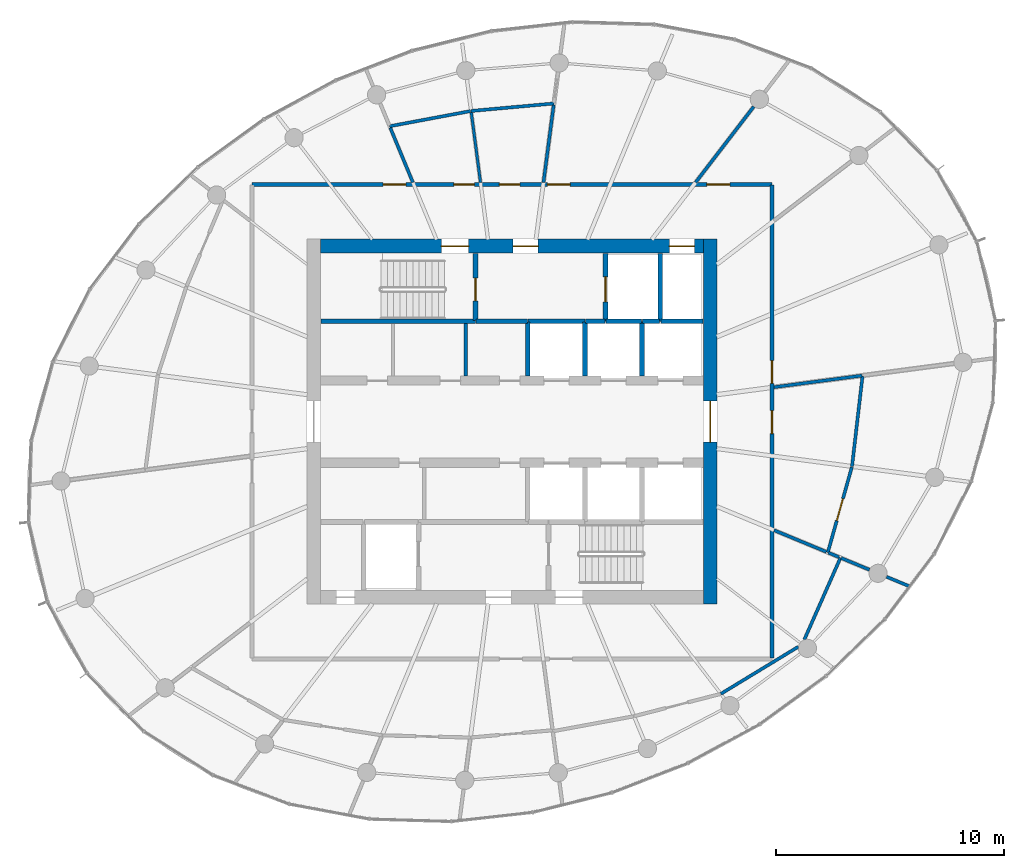
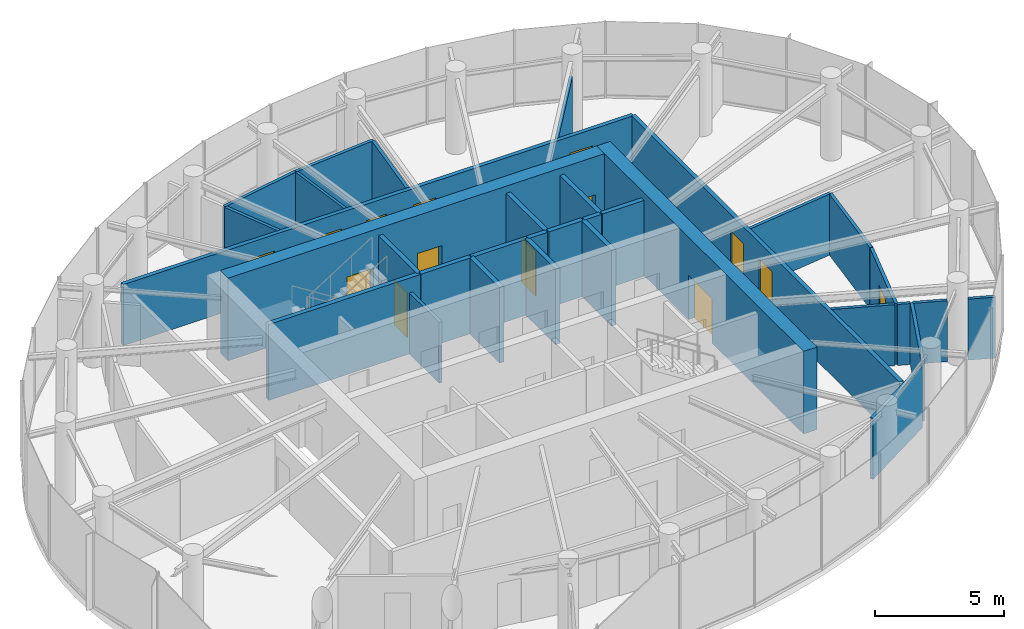
# One storey, part 10 of 13: 33 walls, 14 doors, 14 openings.
"""IFC4 building model written with IfcOpenShell, lengths in metres."""

import ifcopenshell
import ifcopenshell.guid

model = None  # the IFC model being written
_history = None  # IfcOwnerHistory: only IFC2X3 demands one
_inside = {}  # id of a spatial element -> (the spatial element, [elements in it])
_under = {}  # id of a project, library or spatial element -> (it, [spatial elements below it])
_declared = {}  # id of a project -> (the project, [libraries it declares])
_typed = {}  # id of a type object -> (the type object, [elements of that type])
_made_of = {}  # id of a material, layer set ... -> (it, [elements and type objects made of it])


def new_model(schema):
    """Start an empty IFC model of exactly this schema.

    Asked for "IFC4X3", IfcOpenShell would pick the latest addendum, in which some entities
    have other attributes; the version numbers below select the first issue.
    IFC2X3 requires an IfcOwnerHistory on every rooted entity: one is made here for all.
    """
    global model, _history
    if schema == "IFC4X3":
        model = ifcopenshell.file(schema_version=(4, 3, 0, 0))
    else:
        model = ifcopenshell.file(schema=schema)
    _inside.clear()
    _under.clear()
    _declared.clear()
    _typed.clear()
    _made_of.clear()
    _history = None
    if model.schema == "IFC2X3":
        org = make("IfcOrganization", Name="unknown")
        user = make(
            "IfcPersonAndOrganization",
            ThePerson=make("IfcPerson", FamilyName="unknown"),
            TheOrganization=org,
        )
        app = make(
            "IfcApplication",
            ApplicationDeveloper=org,
            Version="unknown",
            ApplicationFullName="unknown",
            ApplicationIdentifier="unknown",
        )
        _history = make(
            "IfcOwnerHistory",
            OwningUser=user,
            OwningApplication=app,
            ChangeAction="ADDED",
            CreationDate=0,
        )
    return model


def make(cls, **values):
    """One entity of the class cls with the attributes given. An attribute that is None is left unset."""
    return model.create_entity(
        cls, **{name: value for name, value in values.items() if value is not None}
    )


def rooted(cls, **values):
    """An entity with a GlobalId (a new one), such as an element, a storey or a relation."""
    return make(cls, GlobalId=ifcopenshell.guid.new(), OwnerHistory=_history, **values)


def si_unit(unit_type, name, prefix=None):
    """IfcSIUnit, for example si_unit("LENGTHUNIT", "METRE", prefix="MILLI")."""
    return make("IfcSIUnit", UnitType=unit_type, Prefix=prefix, Name=name)


def assignment(units):
    """IfcUnitAssignment: the units of a project."""
    return None if units is None else make("IfcUnitAssignment", Units=units)


def point(xyz):
    """IfcCartesianPoint."""
    return None if xyz is None else make("IfcCartesianPoint", Coordinates=xyz)


def direction(xyz):
    """IfcDirection."""
    return None if xyz is None else make("IfcDirection", DirectionRatios=xyz)


def frame(location, z_axis=None, x_axis=None):
    """IfcAxis2Placement3D, a coordinate frame: its origin and axes. An axis left out is left unset."""
    return make(
        "IfcAxis2Placement3D",
        Location=point(location),
        Axis=direction(z_axis),
        RefDirection=direction(x_axis),
    )


def frame_2d(location, x_axis=None):
    """IfcAxis2Placement2D, a coordinate frame in the plane: its origin and x axis."""
    return make(
        "IfcAxis2Placement2D", Location=point(location), RefDirection=direction(x_axis)
    )


def origin():
    """The frame at (0, 0, 0) with its axes left unset."""
    return frame((0.0, 0.0, 0.0))


def place(relative_to, where):
    """IfcLocalPlacement: puts the frame where relative to a parent placement (None: the world)."""
    return make(
        "IfcLocalPlacement", PlacementRelTo=relative_to, RelativePlacement=where
    )


def context(
    kind, dimensions, precision=None, world=None, true_north=None, identifier=None
):
    """IfcGeometricRepresentationContext, for example the 3D "Model" context."""
    return make(
        "IfcGeometricRepresentationContext",
        ContextIdentifier=identifier,
        ContextType=kind,
        CoordinateSpaceDimension=dimensions,
        Precision=precision,
        WorldCoordinateSystem=world,
        TrueNorth=true_north,
    )


def subcontext(parent, identifier, kind, view, scale=None):
    """IfcGeometricRepresentationSubContext, for example "Body" below "Model"."""
    return make(
        "IfcGeometricRepresentationSubContext",
        ContextIdentifier=identifier,
        ContextType=kind,
        ParentContext=parent,
        TargetScale=scale,
        TargetView=view,
    )


def project(units=None, contexts=None):
    """IfcProject with its units and contexts."""
    return rooted(
        "IfcProject",
        Name="project",
        RepresentationContexts=contexts,
        UnitsInContext=assignment(units),
    )


def spatial(cls, under=None, at=None, **own):
    """A site, building, storey or space (cls), placed at a placement, below another one or the project."""
    s = rooted(cls, ObjectPlacement=at, **own)
    if under is not None:
        _under.setdefault(under.id(), (under, []))[1].append(s)
    return s


def profile(cls, at=None, kind="AREA", **sizes):
    """A parametric profile (cls). Its sizes go by their IFC names, for example OverallWidth=200.0."""
    return make(cls, ProfileType=kind, Position=at, **sizes)


def rectangle(**sizes):
    """IfcRectangleProfileDef."""
    return profile("IfcRectangleProfileDef", **sizes)


def extrude(swept, where, along, depth):
    """IfcExtrudedAreaSolid: the profile swept, set in the frame where, extruded along a direction by depth."""
    return make(
        "IfcExtrudedAreaSolid",
        SweptArea=swept,
        Position=where,
        ExtrudedDirection=direction(along),
        Depth=depth,
    )


def shape(context_of_items, identifier, shape_type, items):
    """IfcShapeRepresentation: the items that make up one representation, for example the "Body"."""
    return make(
        "IfcShapeRepresentation",
        ContextOfItems=context_of_items,
        RepresentationIdentifier=identifier,
        RepresentationType=shape_type,
        Items=items,
    )


def source(mapping_origin, context_of_items, identifier, shape_type, items):
    """IfcRepresentationMap: a shape defined once, which mapped items show again and again."""
    return make(
        "IfcRepresentationMap",
        MappingOrigin=mapping_origin,
        MappedRepresentation=shape(context_of_items, identifier, shape_type, items),
    )


def transform(
    local_origin,
    x_axis=None,
    y_axis=None,
    z_axis=None,
    scale=None,
    scale2=None,
    scale3=None,
    uniform=True,
):
    """IfcCartesianTransformationOperator3D, or its non-uniform kind. x_axis, y_axis, z_axis: its Axis1, 2, 3."""
    if uniform:
        return make(
            "IfcCartesianTransformationOperator3D",
            Axis1=direction(x_axis),
            Axis2=direction(y_axis),
            LocalOrigin=point(local_origin),
            Scale=scale,
            Axis3=direction(z_axis),
        )
    return make(
        "IfcCartesianTransformationOperator3DnonUniform",
        Axis1=direction(x_axis),
        Axis2=direction(y_axis),
        LocalOrigin=point(local_origin),
        Scale=scale,
        Axis3=direction(z_axis),
        Scale2=scale2,
        Scale3=scale3,
    )


def mapped(mapping_source, mapping_target):
    """IfcMappedItem: shows the shape of a source again, moved by a transform."""
    return make(
        "IfcMappedItem", MappingSource=mapping_source, MappingTarget=mapping_target
    )


def material(Name=None, Category=None):
    """IfcMaterial."""
    return make("IfcMaterial", Name=Name, Category=Category)


def layer(
    of_material, thickness, ventilated=None, Name=None, Category=None, Priority=None
):
    """IfcMaterialLayer: one layer of a wall or slab, of a material (None: an air gap)."""
    return make(
        "IfcMaterialLayer",
        Material=of_material,
        LayerThickness=thickness,
        IsVentilated=ventilated,
        Name=Name,
        Category=Category,
        Priority=Priority,
    )


def layer_set(layers, Name=None):
    """IfcMaterialLayerSet."""
    return make("IfcMaterialLayerSet", MaterialLayers=layers, LayerSetName=Name)


def made_of(thing, what):
    """Note that an element or type object is made of a material, layer set ...; save() writes the relation."""
    if what is not None:
        _made_of.setdefault(what.id(), (what, []))[1].append(thing)
    return thing


def type_object(cls, material=None, **own):
    """A type object (cls), such as IfcWallType, which elements share."""
    return made_of(rooted(cls, **own), material)


def element(
    cls,
    number,
    at=None,
    inside=None,
    cuts=None,
    type_object=None,
    material=None,
    context=None,
    identifier="Body",
    shape_type=None,
    held_by="IfcProductDefinitionShape",
    body=None,
    shapes=None,
    **own,
):
    """One element of the class cls, such as IfcWall. Its Tag is "e" and its number.

    at: its placement. inside: the storey or other place that contains it. cuts: it is an
    opening in that element (IfcRelVoidsElement). A single representation is given by context,
    identifier, shape_type and body (its items); several are given by shapes. held_by: the class
    of the entity that holds the representations. save() writes the other relations.
    """
    e = rooted(cls, Tag="e%d" % number, ObjectPlacement=at, **own)
    if body is not None:
        shapes = [shape(context, identifier, shape_type, body)]
    if shapes is not None:
        e.Representation = make(held_by, Representations=shapes)
    if inside is not None:
        _inside.setdefault(inside.id(), (inside, []))[1].append(e)
    if cuts is not None:
        rooted(
            "IfcRelVoidsElement", RelatingBuildingElement=cuts, RelatedOpeningElement=e
        )
    if type_object is not None:
        _typed.setdefault(type_object.id(), (type_object, []))[1].append(e)
    return made_of(e, material)


def fill(opening, filler):
    """IfcRelFillsElement: the door or window that sits in an opening."""
    return rooted(
        "IfcRelFillsElement",
        RelatingOpeningElement=opening,
        RelatedBuildingElement=filler,
    )


def aggregate(whole, parts):
    """IfcRelAggregates: a whole, such as a stair, and the parts it consists of."""
    return rooted("IfcRelAggregates", RelatingObject=whole, RelatedObjects=parts)


def save(model, path):
    """Write the relations noted so far, then the file.

    IfcRelAggregates (storeys below a building ...), IfcRelContainedInSpatialStructure (elements
    in a storey), IfcRelDefinesByType, IfcRelAssociatesMaterial and IfcRelDeclares: one each for
    every whole, place, type object, material and project.
    """
    for whole, parts in _under.values():
        aggregate(whole, parts)
    for where, things in _inside.values():
        rooted(
            "IfcRelContainedInSpatialStructure",
            RelatedElements=things,
            RelatingStructure=where,
        )
    for kind, things in _typed.values():
        rooted("IfcRelDefinesByType", RelatedObjects=things, RelatingType=kind)
    for what, things in _made_of.values():
        rooted("IfcRelAssociatesMaterial", RelatedObjects=things, RelatingMaterial=what)
    for by, libraries in _declared.values():
        rooted("IfcRelDeclares", RelatingContext=by, RelatedDefinitions=libraries)
    model.write(path)


model = new_model("IFC4")

# Units and contexts
model_context = context("Model", 3, precision=1e-05, world=origin(), true_north=direction((0.0, 1.0)))
body_context = subcontext(model_context, "Body", "Model", "MODEL_VIEW")
ifc_project = project(units=[si_unit("LENGTHUNIT", "METRE"), si_unit("AREAUNIT", "SQUARE_METRE"), si_unit("VOLUMEUNIT", "CUBIC_METRE"), si_unit("PLANEANGLEUNIT", "RADIAN"), si_unit("MASSUNIT", "GRAM", prefix="KILO")], contexts=[model_context])

# Site, building, storey
site_placement = place(None, origin())
site = spatial("IfcSite", under=ifc_project, at=site_placement, CompositionType="ELEMENT")
building_placement = place(site_placement, origin())
building = spatial("IfcBuilding", under=site, at=building_placement, Name="Spindrift Exchange Tower", CompositionType="ELEMENT")
storey_placement = place(building_placement, frame((0.0, 0.0, 242.300048828125)))
storey = spatial("IfcBuildingStorey", under=building, at=storey_placement, Name="L59", CompositionType="ELEMENT", Elevation=242.300048828125)

# Wall, opening, door
ifc_material_1 = material(Name="Concrete 50 MPa", Category="concrete")
ifc_layer_1 = layer(ifc_material_1, 0.60009765625)
ifc_layer_set_1 = layer_set([ifc_layer_1], Name="RC Core Wall 600 Concrete 50 MPa")
wall_type_1 = type_object("IfcWallType", Name="RC Core Wall 600 Concrete 50 MPa", PredefinedType="SHEAR", material=ifc_layer_set_1)
wall_1_placement = place(storey_placement, frame((60.699951171875, 40.0, 0.0), z_axis=(0.0, 0.0, 1.0), x_axis=(0.0, 1.0, 0.0)))
wall_1 = element("IfcWall", 1, at=wall_1_placement, inside=storey, type_object=wall_type_1, Name="Core wall E L59", PredefinedType="SHEAR", context=body_context, shape_type="SweptSolid", body=[
    extrude(rectangle(XDim=16.0, YDim=0.60009765625, at=frame_2d((8.0, 0.0))), origin(), (0.0, 0.0, 1.0), 3.89990234375),
])
opening_1_placement = place(wall_1_placement, frame((7.10009765625, 0.0, 0.0)))
opening_1 = element("IfcOpeningElement", 2, at=opening_1_placement, cuts=wall_1, Name="Opening L59-D2", PredefinedType="OPENING", context=body_context, shape_type="SweptSolid", body=[
    extrude(rectangle(XDim=1.800048828125, YDim=2.10009765625, at=frame_2d((0.89990234375, 1.050048828125))), frame((0.0, 0.31005859375, 0.0), z_axis=(0.0, -1.0, 0.0), x_axis=(1.0, 0.0, 0.0)), (0.0, 0.0, 1.0), 0.6201171875),
])
ifc_material_2 = material(Name="Timber-core fire door", Category="wood")
door_type_1 = type_object("IfcDoorType", Name="DR-LOBBY-1800", OperationType="NOTDEFINED", PredefinedType="DOOR", material=ifc_material_2)
shared_shape_1 = source(origin(), body_context, "Body", "SweptSolid", [
    extrude(rectangle(XDim=1.800048828125, YDim=2.10009765625, at=frame_2d((0.89990234375, 1.050048828125))), frame((0.0, 0.02490234375, 0.0), z_axis=(0.0, -1.0, 0.0), x_axis=(1.0, 0.0, 0.0)), (0.0, 0.0, 1.0), 0.050048828125),
])
door_1_placement = place(opening_1_placement, origin())
door_1 = element("IfcDoor", 3, at=door_1_placement, inside=storey, type_object=door_type_1, Name="L59 Lobby door 2", OperationType="SINGLE_SWING_LEFT", OverallHeight=2.10009765625, OverallWidth=1.800048828125, PredefinedType="DOOR", context=body_context, shape_type="MappedRepresentation", body=[
    mapped(shared_shape_1, transform((0.0, 0.0, 0.0), scale=1.0)),
])
fill(opening_1, door_1)

# Wall, openings, doors
wall_2_placement = place(storey_placement, frame((60.39990234375, 55.699951171875, 0.0), z_axis=(0.0, 0.0, 1.0), x_axis=(-1.0, 0.0, 0.0)))
wall_2 = element("IfcWall", 4, at=wall_2_placement, inside=storey, type_object=wall_type_1, Name="Core wall N L59", PredefinedType="SHEAR", context=body_context, shape_type="SweptSolid", body=[
    extrude(rectangle(XDim=16.7998046875, YDim=0.60009765625, at=frame_2d((8.39990234375, 0.0))), origin(), (0.0, 0.0, 1.0), 3.89990234375),
])
opening_2_placement = place(wall_2_placement, frame((0.39990234375, 0.0, 0.0)))
opening_2 = element("IfcOpeningElement", 5, at=opening_2_placement, cuts=wall_2, Name="Opening L59-D11", PredefinedType="OPENING", context=body_context, shape_type="SweptSolid", body=[
    extrude(rectangle(XDim=1.10009765625, YDim=2.10009765625, at=frame_2d((0.550048828125, 1.050048828125))), frame((0.0, 0.31005859375, 0.0), z_axis=(0.0, -1.0, 0.0), x_axis=(1.0, 0.0, 0.0)), (0.0, 0.0, 1.0), 0.6201171875),
])
opening_3_placement = place(wall_2_placement, frame((10.300048828125, 0.0, 0.0)))
opening_3 = element("IfcOpeningElement", 6, at=opening_3_placement, cuts=wall_2, Name="Opening L59-D12", PredefinedType="OPENING", context=body_context, shape_type="SweptSolid", body=[
    extrude(rectangle(XDim=1.199951171875, YDim=2.10009765625, at=frame_2d((0.60009765625, 1.050048828125))), frame((0.0, 0.31005859375, 0.0), z_axis=(0.0, -1.0, 0.0), x_axis=(1.0, 0.0, 0.0)), (0.0, 0.0, 1.0), 0.6201171875),
])
opening_4_placement = place(wall_2_placement, frame((7.25, 0.0, 0.0)))
opening_4 = element("IfcOpeningElement", 7, at=opening_4_placement, cuts=wall_2, Name="Opening L59-D14", PredefinedType="OPENING", context=body_context, shape_type="SweptSolid", body=[
    extrude(rectangle(XDim=1.10009765625, YDim=2.10009765625, at=frame_2d((0.550048828125, 1.050048828125))), frame((0.0, 0.31005859375, 0.0), z_axis=(0.0, -1.0, 0.0), x_axis=(1.0, 0.0, 0.0)), (0.0, 0.0, 1.0), 0.6201171875),
])
ifc_material_3 = material(Name="Stainless steel landing door", Category="steel")
door_type_2 = type_object("IfcDoorType", Name="DR-LANDING-1100-SL", OperationType="DOUBLE_DOOR_SLIDING", PredefinedType="USERDEFINED", material=ifc_material_3)
shared_shape_2 = source(origin(), body_context, "Body", "SweptSolid", [
    extrude(rectangle(XDim=1.10009765625, YDim=2.10009765625, at=frame_2d((0.550048828125, 1.050048828125))), frame((0.0, 0.02490234375, 0.0), z_axis=(0.0, -1.0, 0.0), x_axis=(1.0, 0.0, 0.0)), (0.0, 0.0, 1.0), 0.050048828125),
])
door_2_placement = place(opening_2_placement, origin())
door_2 = element("IfcDoor", 8, at=door_2_placement, inside=storey, type_object=door_type_2, Name="L59 Lift landing door 11", ObjectType="LANDING DOOR", OperationType="DOUBLE_DOOR_SLIDING", OverallHeight=2.10009765625, OverallWidth=1.10009765625, PredefinedType="USERDEFINED", context=body_context, shape_type="MappedRepresentation", body=[
    mapped(shared_shape_2, transform((0.0, 0.0, 0.0), scale=1.0)),
])
fill(opening_2, door_2)
ifc_material_4 = material(Name="Steel fire door", Category="steel")
door_type_3 = type_object("IfcDoorType", Name="DR-STAIR-1200", OperationType="NOTDEFINED", PredefinedType="DOOR", material=ifc_material_4)
shared_shape_3 = source(origin(), body_context, "Body", "SweptSolid", [
    extrude(rectangle(XDim=1.199951171875, YDim=2.10009765625, at=frame_2d((0.60009765625, 1.050048828125))), frame((0.0, 0.02490234375, 0.0), z_axis=(0.0, -1.0, 0.0), x_axis=(1.0, 0.0, 0.0)), (0.0, 0.0, 1.0), 0.050048828125),
])
door_3_placement = place(opening_3_placement, origin())
door_3 = element("IfcDoor", 9, at=door_3_placement, inside=storey, type_object=door_type_3, Name="L59 Stair door 12", OperationType="SINGLE_SWING_RIGHT", OverallHeight=2.10009765625, OverallWidth=1.199951171875, PredefinedType="DOOR", context=body_context, shape_type="MappedRepresentation", body=[
    mapped(shared_shape_3, transform((0.0, 0.0, 0.0), scale=1.0)),
])
fill(opening_3, door_3)
door_type_4 = type_object("IfcDoorType", Name="DR-LOBBY-1100", OperationType="NOTDEFINED", PredefinedType="DOOR", material=ifc_material_2)
shared_shape_4 = source(origin(), body_context, "Body", "SweptSolid", [
    extrude(rectangle(XDim=1.10009765625, YDim=2.10009765625, at=frame_2d((0.550048828125, 1.050048828125))), frame((0.0, 0.02490234375, 0.0), z_axis=(0.0, -1.0, 0.0), x_axis=(1.0, 0.0, 0.0)), (0.0, 0.0, 1.0), 0.050048828125),
])
door_4_placement = place(opening_4_placement, origin())
door_4 = element("IfcDoor", 10, at=door_4_placement, inside=storey, type_object=door_type_4, Name="L59 Lobby door 14", OperationType="SINGLE_SWING_RIGHT", OverallHeight=2.10009765625, OverallWidth=1.10009765625, PredefinedType="DOOR", context=body_context, shape_type="MappedRepresentation", body=[
    mapped(shared_shape_4, transform((0.0, 0.0, 0.0), scale=1.0)),
])
fill(opening_4, door_4)

ifc_material_5 = material(Name="Fire-rated plasterboard partition", Category="gypsum")
ifc_layer_2 = layer(ifc_material_5, 0.179931640625)
ifc_layer_set_2 = layer_set([ifc_layer_2], Name="W-CORR-180")
wall_type_2 = type_object("IfcWallType", Name="W-CORR-180", PredefinedType="PARTITIONING", material=ifc_layer_set_2)
wall_3_placement = place(storey_placement, frame((40.60009765625, 58.39990234375, 0.0), z_axis=(0.0, 0.0, 1.0), x_axis=(1.0, 0.0, 0.0)))
wall_3 = element("IfcWall", 11, at=wall_3_placement, inside=storey, type_object=wall_type_2, Name="L59 Partition wall 27", PredefinedType="PARTITIONING", context=body_context, shape_type="SweptSolid", body=[
    extrude(rectangle(XDim=22.7998046875, YDim=0.179931640625, at=frame_2d((11.39990234375, 0.0))), origin(), (0.0, 0.0, 1.0), 2.8798828125),
])
opening_5_placement = place(wall_3_placement, frame((10.85009765625, 0.0, 0.0)))
opening_5 = element("IfcOpeningElement", 12, at=opening_5_placement, cuts=wall_3, Name="Opening L59-D19", PredefinedType="OPENING", context=body_context, shape_type="SweptSolid", body=[
    extrude(rectangle(XDim=0.89990234375, YDim=2.10009765625, at=frame_2d((0.449951171875, 1.050048828125))), frame((0.0, 0.099853515625, 0.0), z_axis=(0.0, -1.0, 0.0), x_axis=(1.0, 0.0, 0.0)), (0.0, 0.0, 1.0), 0.199951171875),
])
opening_6_placement = place(wall_3_placement, frame((8.85009765625, 0.0, 0.0)))
opening_6 = element("IfcOpeningElement", 13, at=opening_6_placement, cuts=wall_3, Name="Opening L59-D20", PredefinedType="OPENING", context=body_context, shape_type="SweptSolid", body=[
    extrude(rectangle(XDim=0.89990234375, YDim=2.10009765625, at=frame_2d((0.449951171875, 1.050048828125))), frame((0.0, 0.099853515625, 0.0), z_axis=(0.0, -1.0, 0.0), x_axis=(1.0, 0.0, 0.0)), (0.0, 0.0, 1.0), 0.199951171875),
])
opening_7_placement = place(wall_3_placement, frame((5.75, 0.0, 0.0)))
opening_7 = element("IfcOpeningElement", 14, at=opening_7_placement, cuts=wall_3, Name="Opening L59-D21", PredefinedType="OPENING", context=body_context, shape_type="SweptSolid", body=[
    extrude(rectangle(XDim=1.0, YDim=2.10009765625, at=frame_2d((0.5, 1.050048828125))), frame((0.0, 0.099853515625, 0.0), z_axis=(0.0, -1.0, 0.0), x_axis=(1.0, 0.0, 0.0)), (0.0, 0.0, 1.0), 0.199951171875),
])
opening_8_placement = place(wall_3_placement, frame((19.949951171875, 0.0, 0.0)))
opening_8 = element("IfcOpeningElement", 15, at=opening_8_placement, cuts=wall_3, Name="Opening L59-D35", PredefinedType="OPENING", context=body_context, shape_type="SweptSolid", body=[
    extrude(rectangle(XDim=1.0, YDim=2.10009765625, at=frame_2d((0.5, 1.050048828125))), frame((0.0, 0.099853515625, 0.0), z_axis=(0.0, -1.0, 0.0), x_axis=(1.0, 0.0, 0.0)), (0.0, 0.0, 1.0), 0.199951171875),
])
opening_9_placement = place(wall_3_placement, frame((12.949951171875, 0.0, 0.0)))
opening_9 = element("IfcOpeningElement", 16, at=opening_9_placement, cuts=wall_3, Name="Opening L59-D36", PredefinedType="OPENING", context=body_context, shape_type="SweptSolid", body=[
    extrude(rectangle(XDim=1.0, YDim=2.10009765625, at=frame_2d((0.5, 1.050048828125))), frame((0.0, 0.099853515625, 0.0), z_axis=(0.0, -1.0, 0.0), x_axis=(1.0, 0.0, 0.0)), (0.0, 0.0, 1.0), 0.199951171875),
])
door_type_5 = type_object("IfcDoorType", Name="DR-ROOM-1000", OperationType="NOTDEFINED", PredefinedType="DOOR", material=ifc_material_2)
shared_shape_5 = source(origin(), body_context, "Body", "SweptSolid", [
    extrude(rectangle(XDim=1.0, YDim=2.10009765625, at=frame_2d((0.5, 1.050048828125))), frame((0.0, 0.02490234375, 0.0), z_axis=(0.0, -1.0, 0.0), x_axis=(1.0, 0.0, 0.0)), (0.0, 0.0, 1.0), 0.050048828125),
])
door_5_placement = place(opening_7_placement, origin())
door_5 = element("IfcDoor", 17, at=door_5_placement, inside=storey, type_object=door_type_5, Name="L59 Door 21", OperationType="SINGLE_SWING_LEFT", OverallHeight=2.10009765625, OverallWidth=1.0, PredefinedType="DOOR", context=body_context, shape_type="MappedRepresentation", body=[
    mapped(shared_shape_5, transform((0.0, 0.0, 0.0), scale=1.0)),
])
fill(opening_7, door_5)
door_6_placement = place(opening_8_placement, origin())
door_6 = element("IfcDoor", 18, at=door_6_placement, inside=storey, type_object=door_type_5, Name="L59 Door 35", OperationType="SINGLE_SWING_LEFT", OverallHeight=2.10009765625, OverallWidth=1.0, PredefinedType="DOOR", context=body_context, shape_type="MappedRepresentation", body=[
    mapped(shared_shape_5, transform((0.0, 0.0, 0.0), scale=1.0)),
])
fill(opening_8, door_6)
door_7_placement = place(opening_9_placement, origin())
door_7 = element("IfcDoor", 19, at=door_7_placement, inside=storey, type_object=door_type_5, Name="L59 Door 36", OperationType="SINGLE_SWING_RIGHT", OverallHeight=2.10009765625, OverallWidth=1.0, PredefinedType="DOOR", context=body_context, shape_type="MappedRepresentation", body=[
    mapped(shared_shape_5, transform((0.0, 0.0, 0.0), scale=1.0)),
])
fill(opening_9, door_7)
ifc_material_6 = material(Name="Laminate washroom door", Category="wood")
door_type_6 = type_object("IfcDoorType", Name="DR-WC-900", OperationType="NOTDEFINED", PredefinedType="DOOR", material=ifc_material_6)
shared_shape_6 = source(origin(), body_context, "Body", "SweptSolid", [
    extrude(rectangle(XDim=0.89990234375, YDim=2.10009765625, at=frame_2d((0.449951171875, 1.050048828125))), frame((0.0, 0.02490234375, 0.0), z_axis=(0.0, -1.0, 0.0), x_axis=(1.0, 0.0, 0.0)), (0.0, 0.0, 1.0), 0.050048828125),
])
door_8_placement = place(opening_5_placement, origin())
door_8 = element("IfcDoor", 20, at=door_8_placement, inside=storey, type_object=door_type_6, Name="L59 WC door 19", OperationType="SINGLE_SWING_LEFT", OverallHeight=2.10009765625, OverallWidth=0.89990234375, PredefinedType="DOOR", context=body_context, shape_type="MappedRepresentation", body=[
    mapped(shared_shape_6, transform((0.0, 0.0, 0.0), scale=1.0)),
])
fill(opening_5, door_8)
door_9_placement = place(opening_6_placement, origin())
door_9 = element("IfcDoor", 21, at=door_9_placement, inside=storey, type_object=door_type_6, Name="L59 WC door 20", OperationType="SINGLE_SWING_RIGHT", OverallHeight=2.10009765625, OverallWidth=0.89990234375, PredefinedType="DOOR", context=body_context, shape_type="MappedRepresentation", body=[
    mapped(shared_shape_6, transform((0.0, 0.0, 0.0), scale=1.0)),
])
fill(opening_6, door_9)

wall_4_placement = place(storey_placement, frame((63.39990234375, 58.3701171875, 0.0), z_axis=(0.0, 0.0, 1.0), x_axis=(0.0, -1.0, 0.0)))
wall_4 = element("IfcWall", 22, at=wall_4_placement, inside=storey, type_object=wall_type_2, Name="L59 Partition wall 29", PredefinedType="PARTITIONING", context=body_context, shape_type="SweptSolid", body=[
    extrude(rectangle(XDim=20.740234375, YDim=0.179931640625, at=frame_2d((10.3701171875, 0.0))), origin(), (0.0, 0.0, 1.0), 2.8798828125),
])
opening_10_placement = place(wall_4_placement, frame((9.889892578125, 0.0, 0.0)))
opening_10 = element("IfcOpeningElement", 23, at=opening_10_placement, cuts=wall_4, Name="Opening L59-D32", PredefinedType="OPENING", context=body_context, shape_type="SweptSolid", body=[
    extrude(rectangle(XDim=1.0, YDim=2.10009765625, at=frame_2d((0.5, 1.050048828125))), frame((0.0, 0.099853515625, 0.0), z_axis=(0.0, -1.0, 0.0), x_axis=(1.0, 0.0, 0.0)), (0.0, 0.0, 1.0), 0.199951171875),
])
opening_11_placement = place(wall_4_placement, frame((7.68994140625, 0.0, 0.0)))
opening_11 = element("IfcOpeningElement", 24, at=opening_11_placement, cuts=wall_4, Name="Opening L59-D34", PredefinedType="OPENING", context=body_context, shape_type="SweptSolid", body=[
    extrude(rectangle(XDim=1.0, YDim=2.10009765625, at=frame_2d((0.5, 1.050048828125))), frame((0.0, 0.099853515625, 0.0), z_axis=(0.0, -1.0, 0.0), x_axis=(1.0, 0.0, 0.0)), (0.0, 0.0, 1.0), 0.199951171875),
])
door_10_placement = place(opening_10_placement, origin())
door_10 = element("IfcDoor", 25, at=door_10_placement, inside=storey, type_object=door_type_5, Name="L59 Door 32", OperationType="SINGLE_SWING_RIGHT", OverallHeight=2.10009765625, OverallWidth=1.0, PredefinedType="DOOR", context=body_context, shape_type="MappedRepresentation", body=[
    mapped(shared_shape_5, transform((0.0, 0.0, 0.0), scale=1.0)),
])
fill(opening_10, door_10)
door_11_placement = place(opening_11_placement, origin())
door_11 = element("IfcDoor", 26, at=door_11_placement, inside=storey, type_object=door_type_5, Name="L59 Door 34", OperationType="SINGLE_SWING_RIGHT", OverallHeight=2.10009765625, OverallWidth=1.0, PredefinedType="DOOR", context=body_context, shape_type="MappedRepresentation", body=[
    mapped(shared_shape_5, transform((0.0, 0.0, 0.0), scale=1.0)),
])
fill(opening_11, door_11)

# Walls
ifc_layer_3 = layer(ifc_material_5, 0.139892578125)
ifc_layer_set_3 = layer_set([ifc_layer_3], Name="W-PART-140")
wall_type_3 = type_object("IfcWallType", Name="W-PART-140", PredefinedType="PARTITIONING", material=ifc_layer_set_3)
wall_5_placement = place(storey_placement, frame((60.04931640625, 58.489990234375, 0.0), z_axis=(0.0, 0.0, 1.0), x_axis=(0.60875313342, 0.793359705651, 0.0)))
element("IfcWall", 27, at=wall_5_placement, inside=storey, type_object=wall_type_3, Name="L59 Partition wall 35", PredefinedType="PARTITIONING", context=body_context, shape_type="SweptSolid", body=[
    extrude(rectangle(XDim=4.19091796875, YDim=0.139892578125, at=frame_2d((2.095458984375, 0.0))), origin(), (0.0, 0.0, 1.0), 2.8798828125),
])
wall_6_placement = place(storey_placement, frame((66.910888671875, 46.036865234375, 0.0), z_axis=(0.0, 0.0, 1.0), x_axis=(0.115273055571, 0.993333842502, 0.0)))
element("IfcWall", 28, at=wall_6_placement, inside=storey, type_object=wall_type_3, Name="L59 Partition wall 39", PredefinedType="PARTITIONING", context=body_context, shape_type="SweptSolid", body=[
    extrude(rectangle(XDim=3.98388671875, YDim=0.139892578125, at=frame_2d((1.991943359375, 0.0))), origin(), (0.0, 0.0, 1.0), 2.8798828125),
])
wall_7_placement = place(storey_placement, frame((63.489990234375, 49.5126953125, 0.0), z_axis=(0.0, 0.0, 1.0), x_axis=(0.991447025843, 0.130509750393, 0.0)))
element("IfcWall", 29, at=wall_7_placement, inside=storey, type_object=wall_type_3, Name="L59 Partition wall 41", PredefinedType="PARTITIONING", context=body_context, shape_type="SweptSolid", body=[
    extrude(rectangle(XDim=3.88720703125, YDim=0.139892578125, at=frame_2d((1.943603515625, 0.0))), origin(), (0.0, 0.0, 1.0), 2.8798828125),
])
wall_8_placement = place(storey_placement, frame((61.158935546875, 36.063720703125, 0.0), z_axis=(0.0, 0.0, 1.0), x_axis=(0.854311228383, 0.519761796459, 0.0)))
element("IfcWall", 30, at=wall_8_placement, inside=storey, type_object=wall_type_3, Name="L59 Partition wall 42", PredefinedType="PARTITIONING", context=body_context, shape_type="SweptSolid", body=[
    extrude(rectangle(XDim=3.974365234375, YDim=0.139892578125, at=frame_2d((1.9873046875, 0.0))), origin(), (0.0, 0.0, 1.0), 2.8798828125),
])
wall_9_placement = place(storey_placement, frame((64.81884765625, 38.4423828125, 0.0), z_axis=(0.0, 0.0, 1.0), x_axis=(0.404296947446, 0.914627781278, 0.0)))
element("IfcWall", 31, at=wall_9_placement, inside=storey, type_object=wall_type_3, Name="L59 Partition wall 44", PredefinedType="PARTITIONING", context=body_context, shape_type="SweptSolid", body=[
    extrude(rectangle(XDim=3.92578125, YDim=0.139892578125, at=frame_2d((1.962890625, 0.0))), origin(), (0.0, 0.0, 1.0), 2.8798828125),
])

# Wall, opening, door
wall_10_placement = place(storey_placement, frame((66.90283203125, 46.008056640625, 0.0), z_axis=(0.0, 0.0, 1.0), x_axis=(-0.270889164169, -0.962610544684, 0.0)))
wall_10 = element("IfcWall", 32, at=wall_10_placement, inside=storey, type_object=wall_type_3, Name="L59 Partition wall 45", PredefinedType="PARTITIONING", context=body_context, shape_type="SweptSolid", body=[
    extrude(rectangle(XDim=3.889892578125, YDim=0.139892578125, at=frame_2d((1.94482421875, 0.0))), origin(), (0.0, 0.0, 1.0), 2.8798828125),
])
opening_12_placement = place(wall_10_placement, frame((1.43994140625, 0.0, 0.0)))
opening_12 = element("IfcOpeningElement", 33, at=opening_12_placement, cuts=wall_10, Name="Opening L59-D33", PredefinedType="OPENING", context=body_context, shape_type="SweptSolid", body=[
    extrude(rectangle(XDim=1.0, YDim=2.10009765625, at=frame_2d((0.5, 1.050048828125))), frame((0.0, 0.079833984375, 0.0), z_axis=(0.0, -1.0, 0.0), x_axis=(1.0, 0.0, 0.0)), (0.0, 0.0, 1.0), 0.159912109375),
])
door_12_placement = place(opening_12_placement, origin())
door_12 = element("IfcDoor", 34, at=door_12_placement, inside=storey, type_object=door_type_5, Name="L59 Door 33", OperationType="SINGLE_SWING_LEFT", OverallHeight=2.10009765625, OverallWidth=1.0, PredefinedType="DOOR", context=body_context, shape_type="MappedRepresentation", body=[
    mapped(shared_shape_5, transform((0.0, 0.0, 0.0), scale=1.0)),
])
fill(opening_12, door_12)

# Walls
wall_11_placement = place(storey_placement, frame((53.8369140625, 61.952880859375, 0.0), z_axis=(0.0, 0.0, 1.0), x_axis=(-0.995916776941, -0.090276095442, 0.0)))
element("IfcWall", 35, at=wall_11_placement, inside=storey, type_object=wall_type_3, Name="L59 Partition wall 47", PredefinedType="PARTITIONING", context=body_context, shape_type="SweptSolid", body=[
    extrude(rectangle(XDim=3.6455078125, YDim=0.139892578125, at=frame_2d((1.82275390625, 0.0))), origin(), (0.0, 0.0, 1.0), 2.8798828125),
])
wall_12_placement = place(storey_placement, frame((50.177001953125, 61.618408203125, 0.0), z_axis=(0.0, 0.0, 1.0), x_axis=(-0.9828698865, -0.184300803609, 0.0)))
element("IfcWall", 36, at=wall_12_placement, inside=storey, type_object=wall_type_3, Name="L59 Partition wall 48", PredefinedType="PARTITIONING", context=body_context, shape_type="SweptSolid", body=[
    extrude(rectangle(XDim=3.6044921875, YDim=0.139892578125, at=frame_2d((1.80224609375, 0.0))), origin(), (0.0, 0.0, 1.0), 2.8798828125),
])
wall_13_placement = place(storey_placement, frame((53.381103515625, 58.489990234375, 0.0), z_axis=(0.0, 0.0, 1.0), x_axis=(0.130522814707, 0.991445306026, 0.0)))
element("IfcWall", 37, at=wall_13_placement, inside=storey, type_object=wall_type_3, Name="L59 Partition wall 51", PredefinedType="PARTITIONING", context=body_context, shape_type="SweptSolid", body=[
    extrude(rectangle(XDim=3.421142578125, YDim=0.139892578125, at=frame_2d((1.71044921875, 0.0))), origin(), (0.0, 0.0, 1.0), 2.8798828125),
])
wall_14_placement = place(storey_placement, frame((47.65478515625, 58.489990234375, 0.0), z_axis=(0.0, 0.0, 1.0), x_axis=(-0.382617614875, 0.923906792262, 0.0)))
element("IfcWall", 38, at=wall_14_placement, inside=storey, type_object=wall_type_3, Name="L59 Partition wall 55", PredefinedType="PARTITIONING", context=body_context, shape_type="SweptSolid", body=[
    extrude(rectangle(XDim=2.595703125, YDim=0.139892578125, at=frame_2d((1.2978515625, 0.0))), origin(), (0.0, 0.0, 1.0), 2.8798828125),
])
wall_15_placement = place(storey_placement, frame((63.489990234375, 43.24072265625, 0.0), z_axis=(0.0, 0.0, 1.0), x_axis=(0.923877816288, -0.38268757567, 0.0)))
element("IfcWall", 39, at=wall_15_placement, inside=storey, type_object=wall_type_3, Name="L59 Partition wall 56", PredefinedType="PARTITIONING", context=body_context, shape_type="SweptSolid", body=[
    extrude(rectangle(XDim=2.48291015625, YDim=0.139892578125, at=frame_2d((1.241455078125, 0.0))), origin(), (0.0, 0.0, 1.0), 2.8798828125),
])
wall_16_placement = place(storey_placement, frame((49.969970703125, 50.010009765625, 0.0), z_axis=(0.0, 0.0, 1.0), x_axis=(0.0, 1.0, 0.0)))
element("IfcWall", 40, at=wall_16_placement, inside=storey, type_object=wall_type_3, Name="L59 Partition wall 59", PredefinedType="PARTITIONING", context=body_context, shape_type="SweptSolid", body=[
    extrude(rectangle(XDim=2.2900390625, YDim=0.139892578125, at=frame_2d((1.14501953125, 0.0))), origin(), (0.0, 0.0, 1.0), 2.8798828125),
])
wall_17_placement = place(storey_placement, frame((66.43359375, 42.021484375, 0.0), z_axis=(0.0, 0.0, 1.0), x_axis=(0.923815650645, -0.382837620438, 0.0)))
element("IfcWall", 41, at=wall_17_placement, inside=storey, type_object=wall_type_3, Name="L59 Partition wall 69", PredefinedType="PARTITIONING", context=body_context, shape_type="SweptSolid", body=[
    extrude(rectangle(XDim=1.34619140625, YDim=0.139892578125, at=frame_2d((0.673095703125, 0.0))), origin(), (0.0, 0.0, 1.0), 2.8798828125),
])
wall_18_placement = place(storey_placement, frame((68.42578125, 41.1962890625, 0.0), z_axis=(0.0, 0.0, 1.0), x_axis=(0.923799341262, -0.382876973823, 0.0)))
element("IfcWall", 42, at=wall_18_placement, inside=storey, type_object=wall_type_3, Name="L59 Partition wall 74", PredefinedType="PARTITIONING", context=body_context, shape_type="SweptSolid", body=[
    extrude(rectangle(XDim=1.0673828125, YDim=0.139892578125, at=frame_2d((0.53369140625, 0.0))), origin(), (0.0, 0.0, 1.0), 2.8798828125),
])
wall_19_placement = place(storey_placement, frame((65.876708984375, 42.252197265625, 0.0), z_axis=(0.0, 0.0, 1.0), x_axis=(0.92392216698, -0.382580487431, 0.0)))
element("IfcWall", 43, at=wall_19_placement, inside=storey, type_object=wall_type_3, Name="L59 Partition wall 82", PredefinedType="PARTITIONING", context=body_context, shape_type="SweptSolid", body=[
    extrude(rectangle(XDim=0.5029296875, YDim=0.139892578125, at=frame_2d((0.25146484375, 0.0))), origin(), (0.0, 0.0, 1.0), 2.8798828125),
])

# Wall, opening, door
ifc_material_7 = material(Name="Concrete 40 MPa", Category="concrete")
ifc_layer_4 = layer(ifc_material_7, 0.199951171875)
ifc_layer_set_4 = layer_set([ifc_layer_4], Name="W-SHAFT-200")
wall_type_4 = type_object("IfcWallType", Name="W-SHAFT-200", PredefinedType="SOLIDWALL", material=ifc_layer_set_4)
wall_20_placement = place(storey_placement, frame((56.10009765625, 55.3798828125, 0.0), z_axis=(0.0, 0.0, 1.0), x_axis=(0.0, -1.0, 0.0)))
wall_20 = element("IfcWall", 44, at=wall_20_placement, inside=storey, type_object=wall_type_4, Name="L59 Shaft wall 7", PredefinedType="SOLIDWALL", context=body_context, shape_type="SweptSolid", body=[
    extrude(rectangle(XDim=2.97998046875, YDim=0.199951171875, at=frame_2d((1.489990234375, 0.0))), origin(), (0.0, 0.0, 1.0), 3.579833984375),
])
opening_13_placement = place(wall_20_placement, frame((1.030029296875, 0.0, 0.0)))
opening_13 = element("IfcOpeningElement", 45, at=opening_13_placement, cuts=wall_20, Name="Opening L59-D9", PredefinedType="OPENING", context=body_context, shape_type="SweptSolid", body=[
    extrude(rectangle(XDim=1.10009765625, YDim=2.10009765625, at=frame_2d((0.550048828125, 1.050048828125))), frame((0.0, 0.10986328125, 0.0), z_axis=(0.0, -1.0, 0.0), x_axis=(1.0, 0.0, 0.0)), (0.0, 0.0, 1.0), 0.219970703125),
])
door_13_placement = place(opening_13_placement, origin())
door_13 = element("IfcDoor", 46, at=door_13_placement, inside=storey, type_object=door_type_2, Name="L59 Lift landing door 9", ObjectType="LANDING DOOR", OperationType="DOUBLE_DOOR_SLIDING", OverallHeight=2.10009765625, OverallWidth=1.10009765625, PredefinedType="USERDEFINED", context=body_context, shape_type="MappedRepresentation", body=[
    mapped(shared_shape_2, transform((0.0, 0.0, 0.0), scale=1.0)),
])
fill(opening_13, door_13)

# Walls
wall_21_placement = place(storey_placement, frame((58.5, 52.39990234375, 0.0), z_axis=(0.0, 0.0, 1.0), x_axis=(0.0, 1.0, 0.0)))
element("IfcWall", 47, at=wall_21_placement, inside=storey, type_object=wall_type_4, Name="L59 Shaft wall 8", PredefinedType="SOLIDWALL", context=body_context, shape_type="SweptSolid", body=[
    extrude(rectangle(XDim=2.97998046875, YDim=0.199951171875, at=frame_2d((1.489990234375, 0.0))), origin(), (0.0, 0.0, 1.0), 3.579833984375),
])
wall_22_placement = place(storey_placement, frame((55.199951171875, 52.39990234375, 0.0), z_axis=(0.0, 0.0, 1.0), x_axis=(-1.0, 0.0, 0.0)))
element("IfcWall", 48, at=wall_22_placement, inside=storey, type_object=wall_type_4, Name="L59 Shaft wall 10", PredefinedType="SOLIDWALL", context=body_context, shape_type="SweptSolid", body=[
    extrude(rectangle(XDim=2.5, YDim=0.199951171875, at=frame_2d((1.25, 0.0))), origin(), (0.0, 0.0, 1.0), 3.579833984375),
])
for number, where, z_axis, x_axis, name in (
    (49, (52.699951171875, 52.3701171875, 0.0), (0.0, 0.0, 1.0), (0.0, -1.0, 0.0), "L59 Shaft wall 14"),
    (50, (55.199951171875, 50.010009765625, 0.0), (0.0, 0.0, 1.0), (0.0, 1.0, 0.0), "L59 Shaft wall 16"),
):
    element("IfcWall", number, at=place(storey_placement, frame(where, z_axis=z_axis, x_axis=x_axis)), inside=storey, type_object=wall_type_4, Name=name, PredefinedType="SOLIDWALL", context=body_context, shape_type="SweptSolid", body=[
        extrude(rectangle(XDim=2.360107421875, YDim=0.199951171875, at=frame_2d((1.18017578125, 0.0))), origin(), (0.0, 0.0, 1.0), 3.579833984375),
    ])
wall_23_placement = place(storey_placement, frame((57.699951171875, 50.010009765625, 0.0), z_axis=(0.0, 0.0, 1.0), x_axis=(0.0, 1.0, 0.0)))
element("IfcWall", 51, at=wall_23_placement, inside=storey, type_object=wall_type_4, Name="L59 Shaft wall 18", PredefinedType="SOLIDWALL", context=body_context, shape_type="SweptSolid", body=[
    extrude(rectangle(XDim=2.389892578125, YDim=0.199951171875, at=frame_2d((1.19482421875, 0.0))), origin(), (0.0, 0.0, 1.0), 3.579833984375),
])
wall_24_placement = place(storey_placement, frame((60.3798828125, 52.39990234375, 0.0), z_axis=(0.0, 0.0, 1.0), x_axis=(-1.0, 0.0, 0.0)))
element("IfcWall", 52, at=wall_24_placement, inside=storey, type_object=wall_type_4, Name="L59 Shaft wall 21", PredefinedType="SOLIDWALL", context=body_context, shape_type="SweptSolid", body=[
    extrude(rectangle(XDim=1.849853515625, YDim=0.199951171875, at=frame_2d((0.9248046875, 0.0))), origin(), (0.0, 0.0, 1.0), 3.579833984375),
])
wall_25_placement = place(storey_placement, frame((57.669921875, 52.39990234375, 0.0), z_axis=(0.0, 0.0, 1.0), x_axis=(-1.0, 0.0, 0.0)))
element("IfcWall", 53, at=wall_25_placement, inside=storey, type_object=wall_type_4, Name="L59 Shaft wall 23", PredefinedType="SOLIDWALL", context=body_context, shape_type="SweptSolid", body=[
    extrude(rectangle(XDim=1.5400390625, YDim=0.199951171875, at=frame_2d((0.77001953125, 0.0))), origin(), (0.0, 0.0, 1.0), 3.579833984375),
])
wall_26_placement = place(storey_placement, frame((56.070068359375, 52.39990234375, 0.0), z_axis=(0.0, 0.0, 1.0), x_axis=(-1.0, 0.0, 0.0)))
element("IfcWall", 54, at=wall_26_placement, inside=storey, type_object=wall_type_4, Name="L59 Shaft wall 25", PredefinedType="SOLIDWALL", context=body_context, shape_type="SweptSolid", body=[
    extrude(rectangle(XDim=0.840087890625, YDim=0.199951171875, at=frame_2d((0.419921875, 0.0))), origin(), (0.0, 0.0, 1.0), 3.579833984375),
])
wall_27_placement = place(storey_placement, frame((58.469970703125, 52.39990234375, 0.0), z_axis=(0.0, 0.0, 1.0), x_axis=(-1.0, 0.0, 0.0)))
element("IfcWall", 55, at=wall_27_placement, inside=storey, type_object=wall_type_4, Name="L59 Shaft wall 26", PredefinedType="SOLIDWALL", context=body_context, shape_type="SweptSolid", body=[
    extrude(rectangle(XDim=0.739990234375, YDim=0.199951171875, at=frame_2d((0.3701171875, 0.0))), origin(), (0.0, 0.0, 1.0), 3.579833984375),
])
ifc_layer_5 = layer(ifc_material_7, 0.199951171875)
ifc_layer_set_5 = layer_set([ifc_layer_5], Name="W-SHAFT-200-LB")
wall_type_5 = type_object("IfcWallType", Name="W-SHAFT-200-LB", PredefinedType="SOLIDWALL", material=ifc_layer_set_5)
wall_28_placement = place(storey_placement, frame((43.6201171875, 52.39990234375, 0.0), z_axis=(0.0, 0.0, 1.0), x_axis=(1.0, 0.0, 0.0)))
element("IfcWall", 56, at=wall_28_placement, inside=storey, type_object=wall_type_5, Name="L59 Shaft wall 1", PredefinedType="SOLIDWALL", context=body_context, shape_type="SweptSolid", body=[
    extrude(rectangle(XDim=6.77978515625, YDim=0.199951171875, at=frame_2d((3.389892578125, 0.0))), origin(), (0.0, 0.0, 1.0), 3.579833984375),
])

# Wall, opening, door
wall_29_placement = place(storey_placement, frame((50.39990234375, 52.429931640625, 0.0), z_axis=(0.0, 0.0, 1.0), x_axis=(0.0, 1.0, 0.0)))
wall_29 = element("IfcWall", 57, at=wall_29_placement, inside=storey, type_object=wall_type_5, Name="L59 Shaft wall 5", PredefinedType="SOLIDWALL", context=body_context, shape_type="SweptSolid", body=[
    extrude(rectangle(XDim=2.949951171875, YDim=0.199951171875, at=frame_2d((1.47509765625, 0.0))), origin(), (0.0, 0.0, 1.0), 3.579833984375),
])
opening_14_placement = place(wall_29_placement, frame((0.8701171875, 0.0, 0.0)))
opening_14 = element("IfcOpeningElement", 58, at=opening_14_placement, cuts=wall_29, Name="Opening L59-D13", PredefinedType="OPENING", context=body_context, shape_type="SweptSolid", body=[
    extrude(rectangle(XDim=1.0, YDim=2.10009765625, at=frame_2d((0.5, 1.050048828125))), frame((0.0, 0.10986328125, 0.0), z_axis=(0.0, -1.0, 0.0), x_axis=(1.0, 0.0, 0.0)), (0.0, 0.0, 1.0), 0.219970703125),
])
door_type_7 = type_object("IfcDoorType", Name="DR-STAIR-1000", OperationType="NOTDEFINED", PredefinedType="DOOR", material=ifc_material_4)
shared_shape_7 = source(origin(), body_context, "Body", "SweptSolid", [
    extrude(rectangle(XDim=1.0, YDim=2.10009765625, at=frame_2d((0.5, 1.050048828125))), frame((0.0, 0.02490234375, 0.0), z_axis=(0.0, -1.0, 0.0), x_axis=(1.0, 0.0, 0.0)), (0.0, 0.0, 1.0), 0.050048828125),
])
door_14_placement = place(opening_14_placement, origin())
door_14 = element("IfcDoor", 59, at=door_14_placement, inside=storey, type_object=door_type_7, Name="L59 Stair door 13", OperationType="SINGLE_SWING_LEFT", OverallHeight=2.10009765625, OverallWidth=1.0, PredefinedType="DOOR", context=body_context, shape_type="MappedRepresentation", body=[
    mapped(shared_shape_7, transform((0.0, 0.0, 0.0), scale=1.0)),
])
fill(opening_14, door_14)

# Walls
wall_30_placement = place(storey_placement, frame((50.429931640625, 52.39990234375, 0.0), z_axis=(0.0, 0.0, 1.0), x_axis=(1.0, 0.0, 0.0)))
element("IfcWall", 60, at=wall_30_placement, inside=storey, type_object=wall_type_5, Name="L59 Shaft wall 19", PredefinedType="SOLIDWALL", context=body_context, shape_type="SweptSolid", body=[
    extrude(rectangle(XDim=2.239990234375, YDim=0.199951171875, at=frame_2d((1.1201171875, 0.0))), origin(), (0.0, 0.0, 1.0), 3.579833984375),
])
ifc_layer_6 = layer(ifc_material_5, 0.1201171875)
ifc_layer_set_6 = layer_set([ifc_layer_6], Name="W-WET-120")
wall_type_6 = type_object("IfcWallType", Name="W-WET-120", PredefinedType="PARTITIONING", material=ifc_layer_set_6)
wall_31_placement = place(storey_placement, frame((50.618896484375, 58.489990234375, 0.0), z_axis=(0.0, 0.0, 1.0), x_axis=(-0.130487204363, 0.991449993443, 0.0)))
element("IfcWall", 61, at=wall_31_placement, inside=storey, type_object=wall_type_6, Name="L59 Partition wall 83", PredefinedType="PARTITIONING", context=body_context, shape_type="SweptSolid", body=[
    extrude(rectangle(XDim=3.0908203125, YDim=0.1201171875, at=frame_2d((1.54541015625, 0.0))), origin(), (0.0, 0.0, 1.0), 2.8798828125),
])

save(model, "model.ifc")
